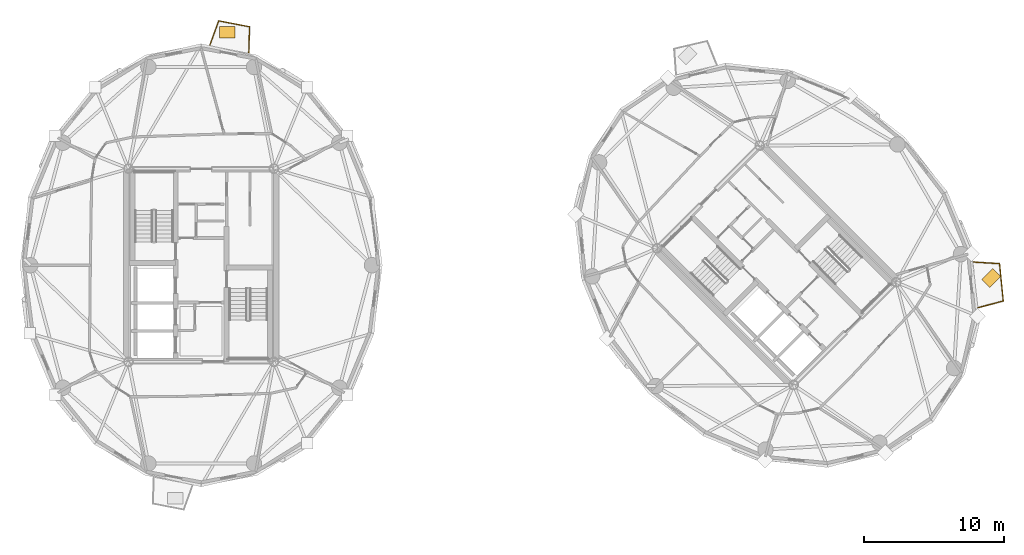
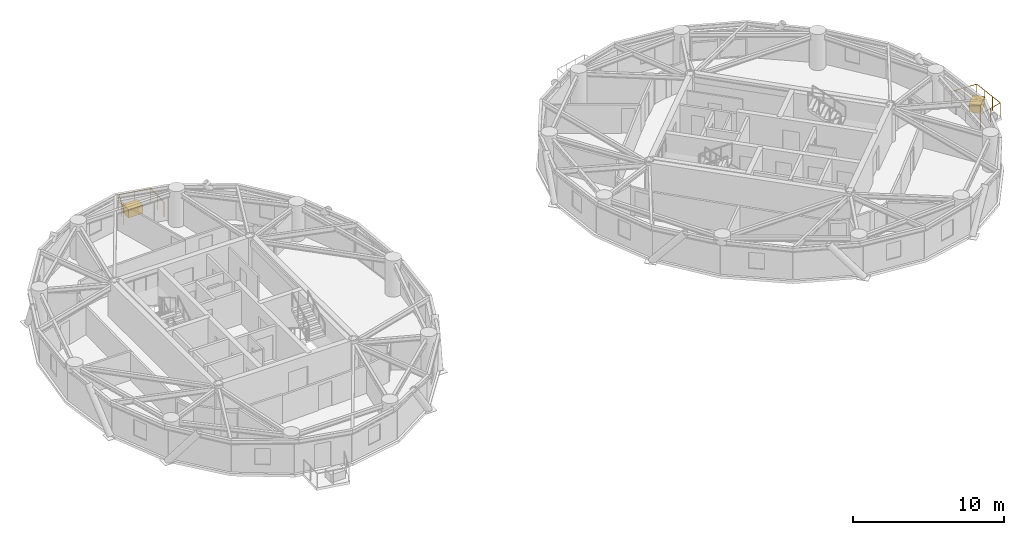
# One storey, part 16 of 16: 2 coverings, 2 railings.
"""IFC4 building model written with IfcOpenShell, lengths in metres."""

from ifc_helpers import new_model, si_unit, direction, frame, origin, origin_2d, place, context, subcontext, project, spatial, rectangle, circle, extrude, source, transform, mapped, material, layer, layer_set, type_object, element, save


model = new_model("IFC4")

# Units and contexts
model_context = context("Model", 3, precision=1e-05, world=origin(), true_north=direction((0.0, 1.0)))
body_context = subcontext(model_context, "Body", "Model", "MODEL_VIEW")
ifc_project = project(units=[si_unit("LENGTHUNIT", "METRE"), si_unit("AREAUNIT", "SQUARE_METRE"), si_unit("VOLUMEUNIT", "CUBIC_METRE"), si_unit("PLANEANGLEUNIT", "RADIAN"), si_unit("MASSUNIT", "GRAM", prefix="KILO")], contexts=[model_context])

# Site, building, storey
site_placement = place(None, origin())
site = spatial("IfcSite", under=ifc_project, at=site_placement, CompositionType="ELEMENT")
building_placement = place(site_placement, origin())
building = spatial("IfcBuilding", under=site, at=building_placement, Name="Cununo Teusaquillo Station Towers", CompositionType="ELEMENT")
storey_placement = place(building_placement, frame((0.0, 0.0, 208.300048828125)))
storey = spatial("IfcBuildingStorey", under=building, at=storey_placement, Name="L66", CompositionType="ELEMENT", Elevation=208.300048828125)

# Railings
ifc_material_1 = material(Name="Anodised dark bronze aluminium EN AW-6063-T6", Category="aluminium")
railing_type_1 = type_object("IfcRailingType", Name="RL-EXT-BALUS", PredefinedType="BALUSTRADE", material=ifc_material_1)
railing_1_placement = place(storey_placement, frame((17.115234375, 40.180419921875, 0.0)))
element("IfcRailing", 1, at=railing_1_placement, inside=storey, type_object=railing_type_1, Name="L66 Tower A Balcony Guardrail C04", PredefinedType="BALUSTRADE", context=body_context, shape_type="SweptSolid", body=[
    extrude(circle(Radius=0.02392578125, at=origin_2d()), frame((0.0, 0.0, 1.17578125), z_axis=(0.344196323776, 0.938897699805, 0.0), x_axis=(-0.938897699805, 0.344196323776, 0.0)), (0.0, 0.0, 1.0), 1.844970703125),
    extrude(circle(Radius=0.02392578125, at=origin_2d()), frame((0.635009765625, 1.732177734375, 1.17578125), z_axis=(0.981834932982, -0.18973709278, 0.0), x_axis=(0.18973709278, 0.981834932982, 0.0)), (0.0, 0.0, 1.0), 2.239013671875),
    extrude(circle(Radius=0.02392578125, at=origin_2d()), frame((2.833251953125, 1.307373046875, 1.17578125), z_axis=(-0.030305152758, -0.999540693377, 0.0), x_axis=(0.999540693377, -0.030305152758, 0.0)), (0.0, 0.0, 1.0), 1.8447265625),
    extrude(circle(Radius=0.02099609375, at=origin_2d()), origin(), (0.0, 0.0, 1.0), 1.15185546875),
    extrude(circle(Radius=0.02099609375, at=origin_2d()), frame((0.3173828125, 0.8662109375, 0.0)), (0.0, 0.0, 1.0), 1.15185546875),
    extrude(circle(Radius=0.02099609375, at=origin_2d()), frame((0.635009765625, 1.732177734375, 0.0)), (0.0, 0.0, 1.0), 1.15185546875),
    extrude(circle(Radius=0.02099609375, at=origin_2d()), frame((1.734130859375, 1.519775390625, 0.0)), (0.0, 0.0, 1.0), 1.15185546875),
    extrude(circle(Radius=0.02099609375, at=origin_2d()), frame((2.833251953125, 1.307373046875, 0.0)), (0.0, 0.0, 1.0), 1.15185546875),
    extrude(circle(Radius=0.02099609375, at=origin_2d()), frame((2.80517578125, 0.38525390625, 0.0)), (0.0, 0.0, 1.0), 1.15185546875),
    extrude(circle(Radius=0.02099609375, at=origin_2d()), frame((2.77734375, -0.53662109375, 0.0)), (0.0, 0.0, 1.0), 1.15185546875),
])
ifc_material_2 = material(Name="Anodised dark bronze aluminium EN AW-6063-T6", Category="aluminium")
railing_type_2 = type_object("IfcRailingType", Name="RL-EXT-GUARD", PredefinedType="GUARDRAIL", material=ifc_material_2)
railing_2_placement = place(storey_placement, frame((71.53662109375, 24.726806640625, 0.0)))
element("IfcRailing", 2, at=railing_2_placement, inside=storey, type_object=railing_type_2, Name="L66 Tower B Balcony Guardrail C17", PredefinedType="GUARDRAIL", context=body_context, shape_type="SweptSolid", body=[
    extrude(circle(Radius=0.02392578125, at=origin_2d()), frame((0.0, 0.0, 1.1259765625), z_axis=(0.998099930185, -0.061615983027, 0.0), x_axis=(0.061615983027, 0.998099930185, 0.0)), (0.0, 0.0, 1.0), 1.854248046875),
    extrude(circle(Radius=0.02392578125, at=origin_2d()), frame((1.850830078125, -0.1142578125, 1.1259765625), z_axis=(0.098635601058, -0.995123619559, 0.0), x_axis=(0.995123619559, 0.098635601058, 0.0)), (0.0, 0.0, 1.0), 2.673095703125),
    extrude(circle(Radius=0.02392578125, at=origin_2d()), frame((2.114501953125, -2.7744140625, 1.1259765625), z_axis=(-0.966566218565, -0.256417131113, 0.0), x_axis=(0.256417131113, -0.966566218565, 0.0)), (0.0, 0.0, 1.0), 1.854736328125),
    extrude(circle(Radius=0.02099609375, at=origin_2d()), origin(), (0.0, 0.0, 1.0), 1.101806640625),
    extrude(circle(Radius=0.02099609375, at=origin_2d()), frame((0.92529296875, -0.05712890625, 0.0)), (0.0, 0.0, 1.0), 1.101806640625),
    extrude(circle(Radius=0.02099609375, at=origin_2d()), frame((1.850830078125, -0.1142578125, 0.0)), (0.0, 0.0, 1.0), 1.101806640625),
    extrude(circle(Radius=0.02099609375, at=origin_2d()), frame((1.938720703125, -1.0009765625, 0.0)), (0.0, 0.0, 1.0), 1.101806640625),
    extrude(circle(Radius=0.02099609375, at=origin_2d()), frame((2.026611328125, -1.8876953125, 0.0)), (0.0, 0.0, 1.0), 1.101806640625),
    extrude(circle(Radius=0.02099609375, at=origin_2d()), frame((2.114501953125, -2.7744140625, 0.0)), (0.0, 0.0, 1.0), 1.101806640625),
    extrude(circle(Radius=0.02099609375, at=origin_2d()), frame((1.21826171875, -3.01220703125, 0.0)), (0.0, 0.0, 1.0), 1.101806640625),
    extrude(circle(Radius=0.02099609375, at=origin_2d()), frame((0.32177734375, -3.25, 0.0)), (0.0, 0.0, 1.0), 1.101806640625),
])

# Coverings
ifc_material_3 = material(Name="Architectural GRC planter shell and engineered root-zone substrate", Category="concrete")
ifc_layer = layer(ifc_material_3, 0.64990234375)
ifc_layer_set = layer_set([ifc_layer], Name="Architectural GRC planter shell and engineered root-zone substrate")
covering_type = type_object("IfcCoveringType", Name="COV-TREE-PLANTER", PredefinedType="CLADDING", material=ifc_layer_set)
shared_shape = source(origin(), body_context, "Body", "SweptSolid", [
    extrude(rectangle(XDim=1.10009765625, YDim=0.800048828125, at=origin_2d()), origin(), (0.0, 0.0, 1.0), 0.64990234375),
])
for number, where, z_axis, x_axis, name in (
    (3, (18.341796875, 41.102783203125, 0.0), (0.0, 0.0, 1.0), (1.0, 0.0, 0.0), "L66 Tower A Balcony Tree PLANTER C04"),
    (4, (72.79638671875, 23.59765625, 0.0), (0.0, 0.0, 1.0), (0.707106781187, 0.707106781187, 0.0), "L66 Tower B Balcony Tree PLANTER C17"),
):
    element("IfcCovering", number, at=place(storey_placement, frame(where, z_axis=z_axis, x_axis=x_axis)), inside=storey, type_object=covering_type, Name=name, PredefinedType="CLADDING", context=body_context, shape_type="MappedRepresentation", body=[
        mapped(shared_shape, transform((0.0, 0.0, 0.0), x_axis=(1.0, 0.0, 0.0), y_axis=(0.0, 1.0, 0.0), z_axis=(0.0, 0.0, 1.0), scale=1.0)),
    ])

save(model, "model.ifc")
